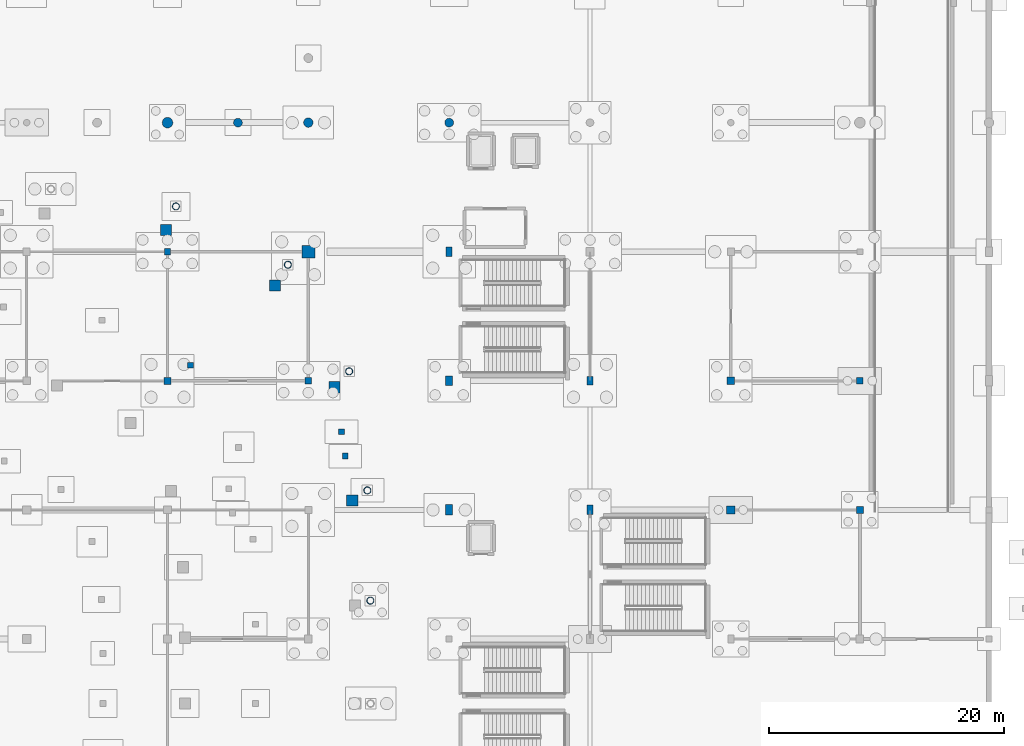
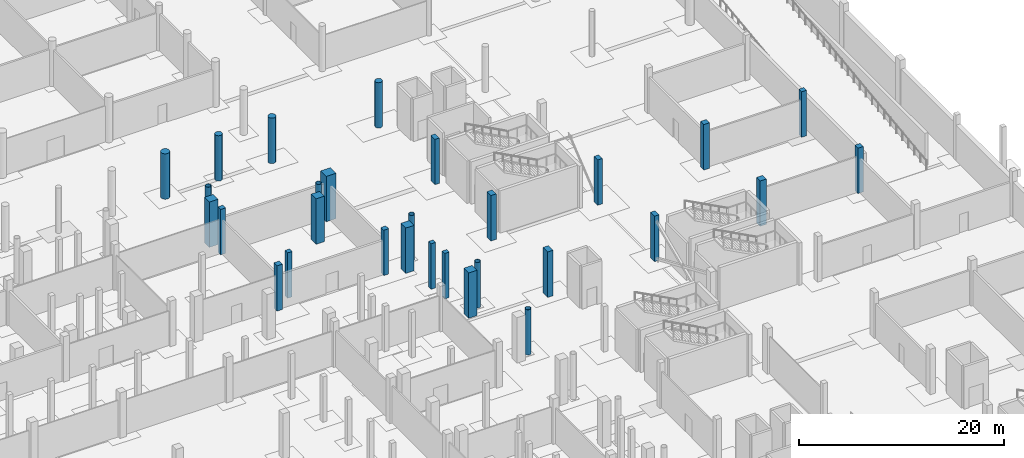
# One storey, part 21 of 60: 29 columns.
"""IFC4 building model written with IfcOpenShell, lengths in metres."""

from ifc_helpers import new_model, si_unit, direction, frame, origin, origin_2d, place, context, subcontext, project, spatial, rectangle, circle, hollow_circle, extrude, material, material_profile, profile_set, type_object, element, save


model = new_model("IFC4")

# Units and contexts
model_context = context("Model", 3, precision=1e-05, world=origin(), true_north=direction((0.0, 1.0)))
body_context = subcontext(model_context, "Body", "Model", "MODEL_VIEW")
ifc_project = project(units=[si_unit("LENGTHUNIT", "METRE"), si_unit("AREAUNIT", "SQUARE_METRE"), si_unit("VOLUMEUNIT", "CUBIC_METRE"), si_unit("PLANEANGLEUNIT", "RADIAN"), si_unit("MASSUNIT", "GRAM", prefix="KILO")], contexts=[model_context])

# Site, building, storey
site_placement = place(None, origin())
site = spatial("IfcSite", under=ifc_project, at=site_placement, CompositionType="ELEMENT")
building_placement = place(site_placement, origin())
building = spatial("IfcBuilding", under=site, at=building_placement, Name="Luwafu Chhajja Arena", CompositionType="ELEMENT")
storey_placement = place(building_placement, frame((0.0, 0.0, -5.39990234375)))
storey = spatial("IfcBuildingStorey", under=building, at=storey_placement, Name="B1", CompositionType="ELEMENT", Elevation=-5.39990234375)

# Columns
ifc_material_1 = material(Name="Concrete C35/45", Category="concrete")
ifc_material_profile_1 = material_profile(ifc_material_1, rectangle(XDim=0.5, YDim=0.800048828125, at=origin_2d()), Name="RC 500x800")
ifc_profile_set_1 = profile_set([ifc_material_profile_1], Name="Concrete C35/45")
column_type_1 = type_object("IfcColumnType", Name="BOH Frame Column RC 500x800", PredefinedType="COLUMN", material=ifc_profile_set_1)
for number, where, z_axis, x_axis, name in (
    (1, (152.0, 88.0, 0.0), (0.0, 0.0, 1.0), (1.0, 0.0, 0.0), "B1 Grid Column 14/J"),
    (2, (164.0, 66.0, 0.0), (0.0, 0.0, 1.0), (1.0, 0.0, 0.0), "B1 Grid Column 15/G"),
):
    element("IfcColumn", number, at=place(storey_placement, frame(where, z_axis=z_axis, x_axis=x_axis)), inside=storey, type_object=column_type_1, Name=name, PredefinedType="COLUMN", context=body_context, shape_type="SweptSolid", body=[
        extrude(rectangle(XDim=0.5, YDim=0.800048828125, at=origin_2d()), origin(), (0.0, 0.0, 1.0), 5.39990234375),
    ])
ifc_material_2 = material(Name="Concrete C40/50", Category="concrete")
ifc_material_profile_2 = material_profile(ifc_material_2, rectangle(XDim=0.949951171875, YDim=0.949951171875, at=origin_2d()), Name="RC 950x950")
ifc_profile_set_2 = profile_set([ifc_material_profile_2], Name="Concrete C40/50")
column_type_2 = type_object("IfcColumnType", Name="Bowl Raker Support Column RC 950", PredefinedType="COLUMN", material=ifc_profile_set_2)
for number, where, z_axis, x_axis, name in (
    (3, (143.739501953125, 66.79638671875, 0.0), (0.0, 0.0, 1.0), (1.0, 0.0, 0.0), "B1 Upper Bowl Raker Column UO03"),
    (4, (142.227294921875, 76.4580078125, 0.0), (0.0, 0.0, 1.0), (1.0, 0.0, 0.0), "B1 Upper Bowl Raker Column UO04"),
    (5, (137.15380859375, 85.1103515625, 0.0), (0.0, 0.0, 1.0), (1.0, 0.0, 0.0), "B1 Upper Bowl Raker Column UO05"),
    (6, (127.883544921875, 89.845458984375, 0.0), (0.0, 0.0, 1.0), (1.0, 0.0, 0.0), "B1 Upper Bowl Raker Column UO06"),
):
    element("IfcColumn", number, at=place(storey_placement, frame(where, z_axis=z_axis, x_axis=x_axis)), inside=storey, type_object=column_type_2, Name=name, PredefinedType="COLUMN", context=body_context, shape_type="SweptSolid", body=[
        extrude(rectangle(XDim=0.949951171875, YDim=0.949951171875, at=origin_2d()), origin(), (0.0, 0.0, 1.0), 5.39990234375),
    ])
ifc_material_profile_3 = material_profile(ifc_material_2, rectangle(XDim=1.10009765625, YDim=1.10009765625, at=origin_2d()), Name="RC 1100x1100")
ifc_profile_set_3 = profile_set([ifc_material_profile_3], Name="Concrete C40/50")
column_type_3 = type_object("IfcColumnType", Name="Bowl Rim Mega Column RC 1100", PredefinedType="COLUMN", material=ifc_profile_set_3)
column_1_placement = place(storey_placement, frame((140.0, 88.0, 0.0), z_axis=(0.0, 0.0, 1.0), x_axis=(1.0, 0.0, 0.0)))
element("IfcColumn", 7, at=column_1_placement, inside=storey, type_object=column_type_3, Name="B1 Grid Column 13/J", PredefinedType="COLUMN", context=body_context, shape_type="SweptSolid", body=[
    extrude(rectangle(XDim=1.10009765625, YDim=1.10009765625, at=origin_2d()), origin(), (0.0, 0.0, 1.0), 5.39990234375),
])
ifc_material_profile_4 = material_profile(ifc_material_1, circle(Radius=0.375, at=origin_2d()), Name="RC COL D750")
ifc_profile_set_4 = profile_set([ifc_material_profile_4], Name="Concrete C35/45")
column_type_4 = type_object("IfcColumnType", Name="Charbagh Cloister Pier D750", PredefinedType="COLUMN", material=ifc_profile_set_4)
for number, where, z_axis, x_axis, name in (
    (8, (152.0, 99.0, 0.0), (0.0, 0.0, 1.0), (1.0, 0.0, 0.0), "B1 Grid Column 14/K"),
    (9, (134.0, 99.0, 0.0), (0.0, 0.0, 1.0), (1.0, 0.0, 0.0), "B1 Mughal Riwaq Colonnade Pier CHS11"),
):
    element("IfcColumn", number, at=place(storey_placement, frame(where, z_axis=z_axis, x_axis=x_axis)), inside=storey, type_object=column_type_4, Name=name, PredefinedType="COLUMN", context=body_context, shape_type="SweptSolid", body=[
        extrude(circle(Radius=0.375, at=origin_2d()), origin(), (0.0, 0.0, 1.0), 5.39990234375),
    ])
ifc_material_profile_5 = material_profile(ifc_material_2, circle(Radius=0.39990234375, at=origin_2d()), Name="RC COL D800")
ifc_profile_set_5 = profile_set([ifc_material_profile_5], Name="Concrete C40/50")
column_type_5 = type_object("IfcColumnType", Name="Foyer Rotunda Pier D800", PredefinedType="COLUMN", material=ifc_profile_set_5)
column_2_placement = place(storey_placement, frame((140.0, 99.0, 0.0), z_axis=(0.0, 0.0, 1.0), x_axis=(1.0, 0.0, 0.0)))
element("IfcColumn", 10, at=column_2_placement, inside=storey, type_object=column_type_5, Name="B1 Grid Column 13/K", PredefinedType="COLUMN", context=body_context, shape_type="SweptSolid", body=[
    extrude(circle(Radius=0.39990234375, at=origin_2d()), origin(), (0.0, 0.0, 1.0), 5.39990234375),
])
ifc_material_profile_6 = material_profile(ifc_material_1, rectangle(XDim=0.550048828125, YDim=0.550048828125, at=origin_2d()), Name="RC 550x550")
ifc_profile_set_6 = profile_set([ifc_material_profile_6], Name="Concrete C35/45")
column_type_6 = type_object("IfcColumnType", Name="Gallery Column RC 550", PredefinedType="COLUMN", material=ifc_profile_set_6)
for number, where, z_axis, x_axis, name in (
    (11, (128.0, 88.0, 0.0), (0.0, 0.0, 1.0), (1.0, 0.0, 0.0), "B1 Grid Column 12/J"),
    (12, (140.0, 77.0, 0.0), (0.0, 0.0, 1.0), (1.0, 0.0, 0.0), "B1 Grid Column 13/H"),
    (13, (187.0, 77.0, 0.0), (0.0, 0.0, 1.0), (1.0, 0.0, 0.0), "B1 Grid Column 17/H"),
):
    element("IfcColumn", number, at=place(storey_placement, frame(where, z_axis=z_axis, x_axis=x_axis)), inside=storey, type_object=column_type_6, Name=name, PredefinedType="COLUMN", context=body_context, shape_type="SweptSolid", body=[
        extrude(rectangle(XDim=0.550048828125, YDim=0.550048828125, at=origin_2d()), origin(), (0.0, 0.0, 1.0), 5.39990234375),
    ])
ifc_material_profile_7 = material_profile(ifc_material_1, rectangle(XDim=0.60009765625, YDim=0.60009765625, at=origin_2d()), Name="RC 600x600")
ifc_profile_set_7 = profile_set([ifc_material_profile_7], Name="Concrete C35/45")
column_type_7 = type_object("IfcColumnType", Name="Mezzanine Column RC 600", PredefinedType="COLUMN", material=ifc_profile_set_7)
for number, where, z_axis, x_axis, name in (
    (14, (128.0, 77.0, 0.0), (0.0, 0.0, 1.0), (1.0, 0.0, 0.0), "B1 Grid Column 12/H"),
    (15, (187.0, 66.0, 0.0), (0.0, 0.0, 1.0), (1.0, 0.0, 0.0), "B1 Grid Column 17/G"),
):
    element("IfcColumn", number, at=place(storey_placement, frame(where, z_axis=z_axis, x_axis=x_axis)), inside=storey, type_object=column_type_7, Name=name, PredefinedType="COLUMN", context=body_context, shape_type="SweptSolid", body=[
        extrude(rectangle(XDim=0.60009765625, YDim=0.60009765625, at=origin_2d()), origin(), (0.0, 0.0, 1.0), 5.39990234375),
    ])
ifc_material_profile_8 = material_profile(ifc_material_2, circle(Radius=0.449951171875, at=origin_2d()), Name="RC COL D900")
ifc_profile_set_8 = profile_set([ifc_material_profile_8], Name="Concrete C40/50")
column_type_8 = type_object("IfcColumnType", Name="Mughal Colonnade Drum Pier D900", PredefinedType="COLUMN", material=ifc_profile_set_8)
column_3_placement = place(storey_placement, frame((128.0, 99.0, 0.0), z_axis=(0.0, 0.0, 1.0), x_axis=(1.0, 0.0, 0.0)))
element("IfcColumn", 16, at=column_3_placement, inside=storey, type_object=column_type_8, Name="B1 Grid Column 12/K", PredefinedType="COLUMN", context=body_context, shape_type="SweptSolid", body=[
    extrude(circle(Radius=0.449951171875, at=origin_2d()), origin(), (0.0, 0.0, 1.0), 5.39990234375),
])
ifc_material_profile_9 = material_profile(ifc_material_1, rectangle(XDim=0.5, YDim=0.5, at=origin_2d()), Name="RC 500x500")
ifc_profile_set_9 = profile_set([ifc_material_profile_9], Name="Concrete C35/45")
column_type_9 = type_object("IfcColumnType", Name="Pavilion Column RC 500", PredefinedType="COLUMN", material=ifc_profile_set_9)
for number, where, z_axis, x_axis, name in (
    (17, (129.947021484375, 78.327392578125, 0.0), (0.0, 0.0, 1.0), (1.0, 0.0, 0.0), "B1 Lower Bowl Support Column 05"),
    (18, (143.145751953125, 70.58984375, 0.0), (0.0, 0.0, 1.0), (1.0, 0.0, 0.0), "B1 Vomitory Stack Column VU03A"),
    (19, (142.821044921875, 72.66455078125, 0.0), (0.0, 0.0, 1.0), (1.0, 0.0, 0.0), "B1 Vomitory Stack Column VU03B"),
):
    element("IfcColumn", number, at=place(storey_placement, frame(where, z_axis=z_axis, x_axis=x_axis)), inside=storey, type_object=column_type_9, Name=name, PredefinedType="COLUMN", context=body_context, shape_type="SweptSolid", body=[
        extrude(rectangle(XDim=0.5, YDim=0.5, at=origin_2d()), origin(), (0.0, 0.0, 1.0), 5.39990234375),
    ])
ifc_material_profile_10 = material_profile(ifc_material_1, rectangle(XDim=0.5, YDim=0.699951171875, at=origin_2d()), Name="RC 500x700")
ifc_profile_set_10 = profile_set([ifc_material_profile_10], Name="Concrete C35/45")
column_type_10 = type_object("IfcColumnType", Name="Perimeter Pilaster Column RC 500x700", PredefinedType="COLUMN", material=ifc_profile_set_10)
column_4_placement = place(storey_placement, frame((164.0, 77.0, 0.0), z_axis=(0.0, 0.0, 1.0), x_axis=(1.0, 0.0, 0.0)))
element("IfcColumn", 20, at=column_4_placement, inside=storey, type_object=column_type_10, Name="B1 Grid Column 15/H", PredefinedType="COLUMN", context=body_context, shape_type="SweptSolid", body=[
    extrude(rectangle(XDim=0.5, YDim=0.699951171875, at=origin_2d()), origin(), (0.0, 0.0, 1.0), 5.39990234375),
])
ifc_material_profile_11 = material_profile(ifc_material_2, rectangle(XDim=0.60009765625, YDim=0.800048828125, at=origin_2d()), Name="RC 600x800")
ifc_profile_set_11 = profile_set([ifc_material_profile_11], Name="Concrete C40/50")
column_type_11 = type_object("IfcColumnType", Name="Pishtaq Pier Column RC 600x800", PredefinedType="COLUMN", material=ifc_profile_set_11)
column_5_placement = place(storey_placement, frame((152.0, 77.0, 0.0), z_axis=(0.0, 0.0, 1.0), x_axis=(1.0, 0.0, 0.0)))
element("IfcColumn", 21, at=column_5_placement, inside=storey, type_object=column_type_11, Name="B1 Grid Column 14/H", PredefinedType="COLUMN", context=body_context, shape_type="SweptSolid", body=[
    extrude(rectangle(XDim=0.60009765625, YDim=0.800048828125, at=origin_2d()), origin(), (0.0, 0.0, 1.0), 5.39990234375),
])
ifc_material_3 = material(Name="Steel S355", Category="steel")
ifc_material_profile_12 = material_profile(ifc_material_3, hollow_circle(Radius=0.304931640625, WallThickness=0.02490234375, at=origin_2d()), Name="CHS 610x25")
ifc_profile_set_12 = profile_set([ifc_material_profile_12], Name="Steel S355")
column_type_12 = type_object("IfcColumnType", Name="Steel Bowl Drum Column CHS 610", PredefinedType="COLUMN", material=ifc_profile_set_12)
for number, where, z_axis, x_axis, name in (
    (22, (145.28759765625, 58.269775390625, 0.0), (0.0, 0.0, 1.0), (1.0, 0.0, 0.0), "B1 Bowl Drum Column D02"),
    (23, (145.031982421875, 67.6611328125, 0.0), (0.0, 0.0, 1.0), (1.0, 0.0, 0.0), "B1 Bowl Drum Column D03"),
    (24, (143.47607421875, 77.805908203125, 0.0), (0.0, 0.0, 1.0), (1.0, 0.0, 0.0), "B1 Bowl Drum Column D04"),
    (25, (138.256103515625, 86.890869140625, 0.0), (0.0, 0.0, 1.0), (1.0, 0.0, 0.0), "B1 Bowl Drum Column D05"),
    (26, (128.718017578125, 91.86279296875, 0.0), (0.0, 0.0, 1.0), (1.0, 0.0, 0.0), "B1 Bowl Drum Column D06"),
):
    element("IfcColumn", number, at=place(storey_placement, frame(where, z_axis=z_axis, x_axis=x_axis)), inside=storey, type_object=column_type_12, Name=name, PredefinedType="COLUMN", context=body_context, shape_type="SweptSolid", body=[
        extrude(hollow_circle(Radius=0.304931640625, WallThickness=0.02490234375, at=origin_2d()), origin(), (0.0, 0.0, 1.0), 5.39990234375),
    ])
ifc_material_profile_13 = material_profile(ifc_material_1, rectangle(XDim=0.64990234375, YDim=0.64990234375, at=origin_2d()), Name="RC 650x650")
ifc_profile_set_13 = profile_set([ifc_material_profile_13], Name="Concrete C35/45")
column_type_13 = type_object("IfcColumnType", Name="Upper Wing Column RC 650", PredefinedType="COLUMN", material=ifc_profile_set_13)
column_6_placement = place(storey_placement, frame((176.0, 77.0, 0.0), z_axis=(0.0, 0.0, 1.0), x_axis=(1.0, 0.0, 0.0)))
element("IfcColumn", 27, at=column_6_placement, inside=storey, type_object=column_type_13, Name="B1 Grid Column 16/H", PredefinedType="COLUMN", context=body_context, shape_type="SweptSolid", body=[
    extrude(rectangle(XDim=0.64990234375, YDim=0.64990234375, at=origin_2d()), origin(), (0.0, 0.0, 1.0), 5.39990234375),
])
ifc_material_profile_14 = material_profile(ifc_material_2, rectangle(XDim=0.60009765625, YDim=0.89990234375, at=origin_2d()), Name="RC 600x900")
ifc_profile_set_14 = profile_set([ifc_material_profile_14], Name="Concrete C40/50")
column_type_14 = type_object("IfcColumnType", Name="Warm-Up Hall Portal Column RC 600x900", PredefinedType="COLUMN", material=ifc_profile_set_14)
column_7_placement = place(storey_placement, frame((152.0, 66.0, 0.0), z_axis=(0.0, 0.0, 1.0), x_axis=(1.0, 0.0, 0.0)))
element("IfcColumn", 28, at=column_7_placement, inside=storey, type_object=column_type_14, Name="B1 Grid Column 14/G", PredefinedType="COLUMN", context=body_context, shape_type="SweptSolid", body=[
    extrude(rectangle(XDim=0.60009765625, YDim=0.89990234375, at=origin_2d()), origin(), (0.0, 0.0, 1.0), 5.39990234375),
])
ifc_material_profile_15 = material_profile(ifc_material_1, rectangle(XDim=0.699951171875, YDim=0.699951171875, at=origin_2d()), Name="RC 700x700")
ifc_profile_set_15 = profile_set([ifc_material_profile_15], Name="Concrete C35/45")
column_type_15 = type_object("IfcColumnType", Name="Wing Frame Column RC 700", PredefinedType="COLUMN", material=ifc_profile_set_15)
column_8_placement = place(storey_placement, frame((176.0, 66.0, 0.0), z_axis=(0.0, 0.0, 1.0), x_axis=(1.0, 0.0, 0.0)))
element("IfcColumn", 29, at=column_8_placement, inside=storey, type_object=column_type_15, Name="B1 Grid Column 16/G", PredefinedType="COLUMN", context=body_context, shape_type="SweptSolid", body=[
    extrude(rectangle(XDim=0.699951171875, YDim=0.699951171875, at=origin_2d()), origin(), (0.0, 0.0, 1.0), 5.39990234375),
])

save(model, "model.ifc")
